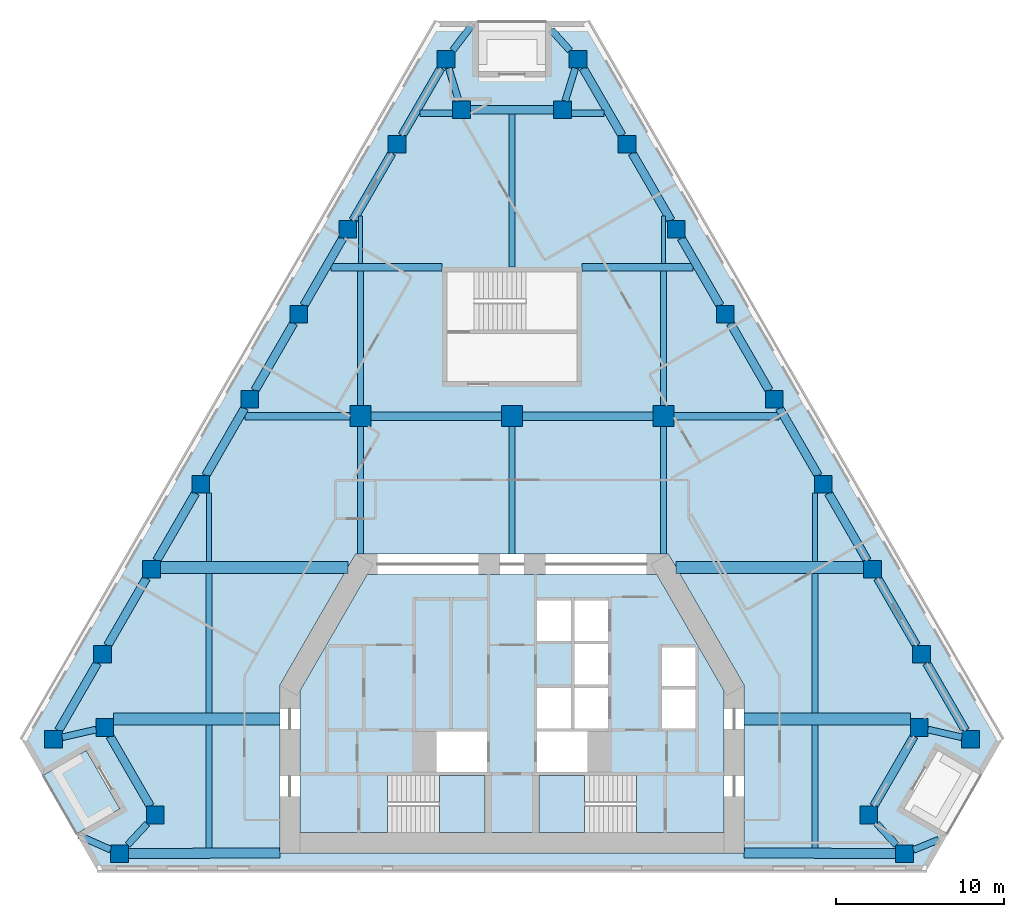
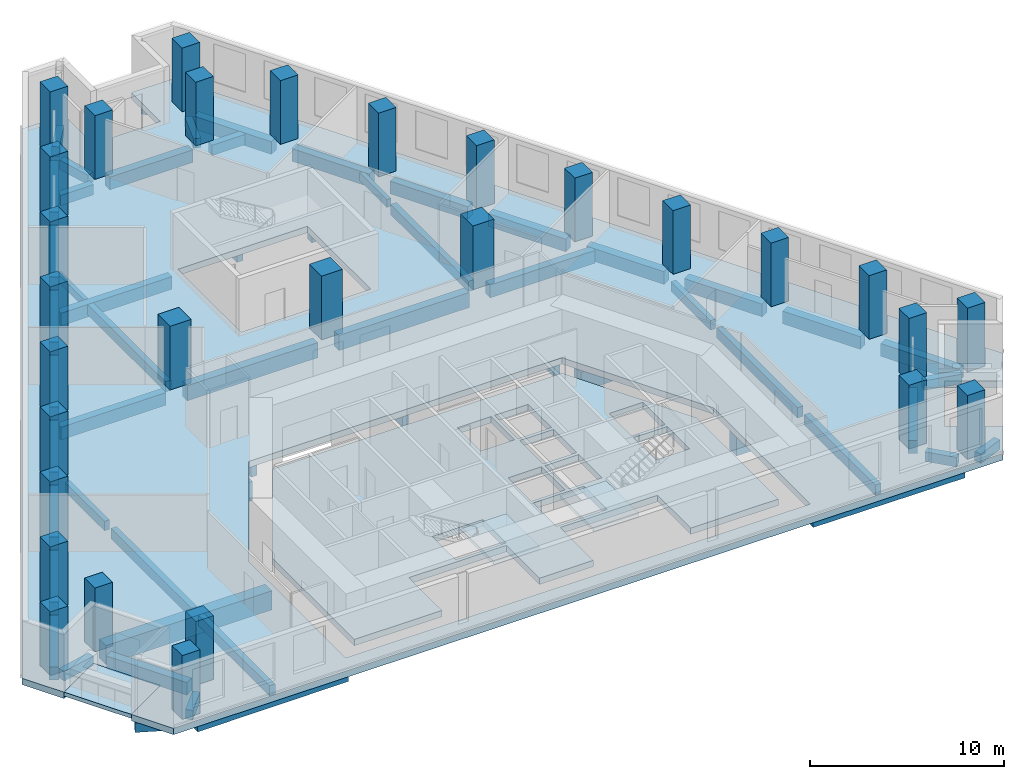
# One storey, part 1 of 9: 57 beams, 29 columns, 5 slabs, 2 elements without a shape of their own.
"""IFC4 building model written with IfcOpenShell, lengths in metres."""

from ifc_helpers import new_model, si_unit, direction, frame, origin, origin_2d, place, context, subcontext, project, spatial, polyline, rectangle, outline, extrude, material, layer, layer_set, material_profile, profile_set, type_object, element, aggregate, save


model = new_model("IFC4")

# Units and contexts
model_context = context("Model", 3, precision=1e-05, world=origin(), true_north=direction((0.0, 1.0)))
body_context = subcontext(model_context, "Body", "Model", "MODEL_VIEW")
ifc_project = project(units=[si_unit("LENGTHUNIT", "METRE"), si_unit("AREAUNIT", "SQUARE_METRE"), si_unit("VOLUMEUNIT", "CUBIC_METRE"), si_unit("PLANEANGLEUNIT", "RADIAN"), si_unit("MASSUNIT", "GRAM", prefix="KILO")], contexts=[model_context])

# Site, building, storey
site_placement = place(None, origin())
site = spatial("IfcSite", under=ifc_project, at=site_placement, CompositionType="ELEMENT")
building_placement = place(site_placement, origin())
building = spatial("IfcBuilding", under=site, at=building_placement, Name="Fogline Exchange Tower", CompositionType="ELEMENT")
storey_placement = place(building_placement, frame((0.0, 0.0, 150.89990234375)))
storey = spatial("IfcBuildingStorey", under=building, at=storey_placement, Name="L33", CompositionType="ELEMENT", Elevation=150.89990234375)

# Columns
ifc_material_1 = material(Name="Concrete C70", Category="concrete")
ifc_material_profile_1 = material_profile(ifc_material_1, rectangle(XDim=1.25, YDim=1.25, at=origin_2d()), Name="RC 1250x1250")
ifc_profile_set_1 = profile_set([ifc_material_profile_1], Name="Concrete C70")
column_type_1 = type_object("IfcColumnType", Name="C03", PredefinedType="COLUMN", material=ifc_profile_set_1)
for number, where, z_axis, x_axis, name in (
    (1, (-9.0, 27.0, 0.0), (0.0, 0.0, 1.0), (1.0, 0.0, 0.0), "IC--9-27"),
    (2, (0.0, 27.0, 0.0), (0.0, 0.0, 1.0), (1.0, 0.0, 0.0), "IC-0-27"),
    (3, (9.0, 27.0, 0.0), (0.0, 0.0, 1.0), (1.0, 0.0, 0.0), "IC-9-27"),
):
    element("IfcColumn", number, at=place(storey_placement, frame(where, z_axis=z_axis, x_axis=x_axis)), inside=storey, type_object=column_type_1, Name=name, PredefinedType="COLUMN", context=body_context, shape_type="SweptSolid", body=[
        extrude(rectangle(XDim=1.25, YDim=1.25, at=origin_2d()), origin(), (0.0, 0.0, 1.0), 4.0),
    ])
ifc_material_profile_2 = material_profile(ifc_material_1, rectangle(XDim=1.050048828125, YDim=1.050048828125, at=origin_2d()), Name="RC 1050x1050")
ifc_profile_set_2 = profile_set([ifc_material_profile_2], Name="Concrete C70")
column_type_2 = type_object("IfcColumnType", Name="C04", PredefinedType="COLUMN", material=ifc_profile_set_2)
for number, where, z_axis, x_axis, name in (
    (4, (-27.2490234375, 7.794189453125, 0.0), (0.0, 0.0, 1.0), (1.0, 0.0, 0.0), "SW-a"),
    (5, (-24.189697265625, 8.4951171875, 0.0), (0.0, 0.0, 1.0), (1.0, 0.0, 0.0), "SW-p4"),
    (6, (-21.189697265625, 3.299072265625, 0.0), (0.0, 0.0, 1.0), (1.0, 0.0, 0.0), "SW-p3"),
    (7, (-23.326416015625, 1.0, 0.0), (0.0, 0.0, 1.0), (1.0, 0.0, 0.0), "SW-b"),
    (8, (23.326416015625, 1.0, 0.0), (0.0, 0.0, 1.0), (1.0, 0.0, 0.0), "SE-a"),
    (9, (21.189697265625, 3.299072265625, 0.0), (0.0, 0.0, 1.0), (1.0, 0.0, 0.0), "SE-p4"),
    (10, (24.189697265625, 8.4951171875, 0.0), (0.0, 0.0, 1.0), (1.0, 0.0, 0.0), "SE-p3"),
    (11, (27.2490234375, 7.794189453125, 0.0), (0.0, 0.0, 1.0), (1.0, 0.0, 0.0), "SE-b"),
    (12, (24.333251953125, 12.844482421875, 0.0), (0.0, 0.0, 1.0), (1.0, 0.0, 0.0), "E1"),
    (13, (21.41748046875, 17.894775390625, 0.0), (0.0, 0.0, 1.0), (1.0, 0.0, 0.0), "E2"),
    (14, (18.501708984375, 22.945068359375, 0.0), (0.0, 0.0, 1.0), (1.0, 0.0, 0.0), "E3"),
    (15, (15.585693359375, 27.995361328125, 0.0), (0.0, 0.0, 1.0), (1.0, 0.0, 0.0), "E4"),
    (16, (12.669921875, 33.045654296875, 0.0), (0.0, 0.0, 1.0), (1.0, 0.0, 0.0), "E5"),
    (17, (9.754150390625, 38.095947265625, 0.0), (0.0, 0.0, 1.0), (1.0, 0.0, 0.0), "E6"),
    (18, (6.83837890625, 43.146240234375, 0.0), (0.0, 0.0, 1.0), (1.0, 0.0, 0.0), "E7"),
    (19, (3.922607421875, 48.19677734375, 0.0), (0.0, 0.0, 1.0), (1.0, 0.0, 0.0), "N-a"),
    (20, (3.0, 45.19677734375, 0.0), (0.0, 0.0, 1.0), (1.0, 0.0, 0.0), "N-p4"),
    (21, (-3.0, 45.19677734375, 0.0), (0.0, 0.0, 1.0), (1.0, 0.0, 0.0), "N-p3"),
    (22, (-3.922607421875, 48.19677734375, 0.0), (0.0, 0.0, 1.0), (1.0, 0.0, 0.0), "N-b"),
    (23, (-6.83837890625, 43.146240234375, 0.0), (0.0, 0.0, 1.0), (1.0, 0.0, 0.0), "W1"),
    (24, (-9.754150390625, 38.095947265625, 0.0), (0.0, 0.0, 1.0), (1.0, 0.0, 0.0), "W2"),
    (25, (-12.669921875, 33.045654296875, 0.0), (0.0, 0.0, 1.0), (1.0, 0.0, 0.0), "W3"),
    (26, (-15.585693359375, 27.995361328125, 0.0), (0.0, 0.0, 1.0), (1.0, 0.0, 0.0), "W4"),
    (27, (-18.501708984375, 22.945068359375, 0.0), (0.0, 0.0, 1.0), (1.0, 0.0, 0.0), "W5"),
    (28, (-21.41748046875, 17.894775390625, 0.0), (0.0, 0.0, 1.0), (1.0, 0.0, 0.0), "W6"),
    (29, (-24.333251953125, 12.844482421875, 0.0), (0.0, 0.0, 1.0), (1.0, 0.0, 0.0), "W7"),
):
    element("IfcColumn", number, at=place(storey_placement, frame(where, z_axis=z_axis, x_axis=x_axis)), inside=storey, type_object=column_type_2, Name=name, PredefinedType="COLUMN", context=body_context, shape_type="SweptSolid", body=[
        extrude(rectangle(XDim=1.050048828125, YDim=1.050048828125, at=origin_2d()), origin(), (0.0, 0.0, 1.0), 4.0),
    ])

# Beams
ifc_material_2 = material(Name="Concrete C40", Category="concrete")
ifc_material_profile_3 = material_profile(ifc_material_2, rectangle(XDim=0.300048828125, YDim=0.60009765625, at=origin_2d()), Name="RC 300x600")
ifc_profile_set_3 = profile_set([ifc_material_profile_3], Name="Concrete C40")
beam_type_1 = type_object("IfcBeamType", Name="B06", PredefinedType="BEAM", material=ifc_profile_set_3)
for number, where, z_axis, x_axis, name in (
    (30, (-18.0, 18.35009765625, -0.699951171875), (0.0, 1.0, 0.0), (-1.0, 0.0, 0.0), "SB003"),
    (31, (18.0, 18.35009765625, -0.699951171875), (0.0, 1.0, 0.0), (-1.0, 0.0, 0.0), "SB014"),
):
    element("IfcBeam", number, at=place(storey_placement, frame(where, z_axis=z_axis, x_axis=x_axis)), inside=storey, type_object=beam_type_1, Name=name, PredefinedType="BEAM", context=body_context, shape_type="SweptSolid", body=[
        extrude(rectangle(XDim=0.300048828125, YDim=0.60009765625, at=origin_2d()), origin(), (0.0, 0.0, 1.0), 4.070068359375),
    ])
ifc_material_profile_4 = material_profile(ifc_material_2, rectangle(XDim=0.25, YDim=0.5, at=origin_2d()), Name="RC 250x500")
ifc_profile_set_4 = profile_set([ifc_material_profile_4], Name="Concrete C40")
beam_type_2 = type_object("IfcBeamType", Name="B08", PredefinedType="BEAM", material=ifc_profile_set_4)
for number, where, z_axis, x_axis, name in (
    (32, (-9.0, 36.08203125, -0.64990234375), (0.0, 1.0, 0.0), (-1.0, 0.0, 0.0), "SB006"),
    (33, (9.0, 36.08203125, -0.64990234375), (0.0, 1.0, 0.0), (-1.0, 0.0, 0.0), "SB011"),
):
    element("IfcBeam", number, at=place(storey_placement, frame(where, z_axis=z_axis, x_axis=x_axis)), inside=storey, type_object=beam_type_2, Name=name, PredefinedType="BEAM", context=body_context, shape_type="SweptSolid", body=[
        extrude(rectangle(XDim=0.25, YDim=0.5, at=origin_2d()), origin(), (0.0, 0.0, 1.0), 2.8203125),
    ])
ifc_material_profile_5 = material_profile(ifc_material_2, rectangle(XDim=0.60009765625, YDim=0.89990234375, at=origin_2d()), Name="RC 600x900")
ifc_profile_set_5 = profile_set([ifc_material_profile_5], Name="Concrete C40")
beam_type_3 = type_object("IfcBeamType", Name="B09", PredefinedType="BEAM", material=ifc_profile_set_5)
for number, where, z_axis, x_axis, name in (
    (34, (-22.801513671875, 1.0, -0.849853515625), (0.999984543136, 0.005559990001, 0.0), (-0.005559990001, 0.999984543136, 0.0), "RB004"),
    (35, (13.800048828125, 1.050048828125, -0.849853515625), (0.999984543136, -0.005559990001, 0.0), (0.005559990001, 0.999984543136, 0.0), "RB005"),
):
    element("IfcBeam", number, at=place(storey_placement, frame(where, z_axis=z_axis, x_axis=x_axis)), inside=storey, type_object=beam_type_3, Name=name, PredefinedType="BEAM", context=body_context, shape_type="SweptSolid", body=[
        extrude(rectangle(XDim=0.60009765625, YDim=0.89990234375, at=origin_2d()), origin(), (0.0, 0.0, 1.0), 9.001708984375),
    ])
ifc_material_profile_6 = material_profile(ifc_material_2, rectangle(XDim=0.5, YDim=0.800048828125, at=origin_2d()), Name="RC 500x800")
ifc_profile_set_6 = profile_set([ifc_material_profile_6], Name="Concrete C40")
beam_type_4 = type_object("IfcBeamType", Name="B10", PredefinedType="BEAM", material=ifc_profile_set_6)
for number, where, z_axis, x_axis, name in (
    (36, (-23.886474609375, 7.97021484375, -0.7998046875), (0.499994660107, -0.866028486751, 0.0), (0.866028486751, 0.499994660107, 0.0), "RB002"),
    (37, (21.49267578125, 3.823974609375, -0.7998046875), (0.499994660107, 0.866028486751, 0.0), (-0.866028486751, 0.499994660107, 0.0), "RB007"),
):
    element("IfcBeam", number, at=place(storey_placement, frame(where, z_axis=z_axis, x_axis=x_axis)), inside=storey, type_object=beam_type_4, Name=name, PredefinedType="BEAM", context=body_context, shape_type="SweptSolid", body=[
        extrude(rectangle(XDim=0.5, YDim=0.800048828125, at=origin_2d()), origin(), (0.0, 0.0, 1.0), 4.78759765625),
    ])
for number, where, z_axis, x_axis, name in (
    (38, (26.94580078125, 8.319091796875, -0.7998046875), (-0.499981705991, 0.866035965578, 0.0), (-0.866035965578, -0.499981705991, 0.0), "RB009"),
    (39, (24.030029296875, 13.369384765625, -0.7998046875), (-0.499981705991, 0.866035965578, 0.0), (-0.866035965578, -0.499981705991, 0.0), "RB010"),
):
    element("IfcBeam", number, at=place(storey_placement, frame(where, z_axis=z_axis, x_axis=x_axis)), inside=storey, type_object=beam_type_4, Name=name, PredefinedType="BEAM", context=body_context, shape_type="SweptSolid", body=[
        extrude(rectangle(XDim=0.5, YDim=0.800048828125, at=origin_2d()), origin(), (0.0, 0.0, 1.0), 4.619384765625),
    ])
for number, where, z_axis, x_axis, name in (
    (40, (21.1142578125, 18.419921875, -0.7998046875), (-0.500004591975, 0.86602275259, 0.0), (-0.86602275259, -0.500004591975, 0.0), "RB011"),
    (41, (18.198486328125, 23.47021484375, -0.7998046875), (-0.500004591975, 0.86602275259, 0.0), (-0.86602275259, -0.500004591975, 0.0), "RB012"),
    (42, (15.28271484375, 28.5205078125, -0.7998046875), (-0.500004591975, 0.86602275259, 0.0), (-0.86602275259, -0.500004591975, 0.0), "RB013"),
    (43, (12.366943359375, 33.57080078125, -0.7998046875), (-0.500004591975, 0.86602275259, 0.0), (-0.86602275259, -0.500004591975, 0.0), "RB014"),
    (44, (9.451171875, 38.62109375, -0.7998046875), (-0.500004591975, 0.86602275259, 0.0), (-0.86602275259, -0.500004591975, 0.0), "RB015"),
    (45, (6.535400390625, 43.67138671875, -0.7998046875), (-0.500004591975, 0.86602275259, 0.0), (-0.86602275259, -0.500004591975, 0.0), "RB016"),
):
    element("IfcBeam", number, at=place(storey_placement, frame(where, z_axis=z_axis, x_axis=x_axis)), inside=storey, type_object=beam_type_4, Name=name, PredefinedType="BEAM", context=body_context, shape_type="SweptSolid", body=[
        extrude(rectangle(XDim=0.5, YDim=0.800048828125, at=origin_2d()), origin(), (0.0, 0.0, 1.0), 4.619140625),
    ])
beam_1_placement = place(storey_placement, frame((2.47509765625, 45.19677734375, -0.7998046875), z_axis=(-1.0, 0.0, 0.0), x_axis=(0.0, -1.0, 0.0)))
element("IfcBeam", 46, at=beam_1_placement, inside=storey, type_object=beam_type_4, Name="RB018", PredefinedType="BEAM", context=body_context, shape_type="SweptSolid", body=[
    extrude(rectangle(XDim=0.5, YDim=0.800048828125, at=origin_2d()), origin(), (0.0, 0.0, 1.0), 4.9501953125),
])
for number, where, z_axis, x_axis, name in (
    (47, (-4.225830078125, 47.671630859375, -0.7998046875), (-0.500004591975, -0.86602275259, 0.0), (0.86602275259, -0.500004591975, 0.0), "RB020"),
    (48, (-7.1416015625, 42.621337890625, -0.7998046875), (-0.500004591975, -0.86602275259, 0.0), (0.86602275259, -0.500004591975, 0.0), "RB021"),
    (49, (-10.057373046875, 37.571044921875, -0.7998046875), (-0.500004591975, -0.86602275259, 0.0), (0.86602275259, -0.500004591975, 0.0), "RB022"),
    (50, (-12.97314453125, 32.520751953125, -0.7998046875), (-0.500004591975, -0.86602275259, 0.0), (0.86602275259, -0.500004591975, 0.0), "RB023"),
    (51, (-15.888916015625, 27.470458984375, -0.7998046875), (-0.500004591975, -0.86602275259, 0.0), (0.86602275259, -0.500004591975, 0.0), "RB024"),
    (52, (-18.8046875, 22.420166015625, -0.7998046875), (-0.500004591975, -0.86602275259, 0.0), (0.86602275259, -0.500004591975, 0.0), "RB025"),
):
    element("IfcBeam", number, at=place(storey_placement, frame(where, z_axis=z_axis, x_axis=x_axis)), inside=storey, type_object=beam_type_4, Name=name, PredefinedType="BEAM", context=body_context, shape_type="SweptSolid", body=[
        extrude(rectangle(XDim=0.5, YDim=0.800048828125, at=origin_2d()), origin(), (0.0, 0.0, 1.0), 4.619140625),
    ])
for number, where, z_axis, x_axis, name in (
    (53, (-21.720458984375, 17.369873046875, -0.7998046875), (-0.499981705991, -0.866035965578, 0.0), (0.866035965578, -0.499981705991, 0.0), "RB026"),
    (54, (-24.63623046875, 12.319580078125, -0.7998046875), (-0.499981705991, -0.866035965578, 0.0), (0.866035965578, -0.499981705991, 0.0), "RB027"),
):
    element("IfcBeam", number, at=place(storey_placement, frame(where, z_axis=z_axis, x_axis=x_axis)), inside=storey, type_object=beam_type_4, Name=name, PredefinedType="BEAM", context=body_context, shape_type="SweptSolid", body=[
        extrude(rectangle(XDim=0.5, YDim=0.800048828125, at=origin_2d()), origin(), (0.0, 0.0, 1.0), 4.619384765625),
    ])
ifc_material_profile_7 = material_profile(ifc_material_2, rectangle(XDim=0.39990234375, YDim=0.60009765625, at=origin_2d()), Name="RC 400x600")
ifc_profile_set_7 = profile_set([ifc_material_profile_7], Name="Concrete C40")
beam_type_5 = type_object("IfcBeamType", Name="B11", PredefinedType="BEAM", material=ifc_profile_set_7)
beam_2_placement = place(storey_placement, frame((-26.72412109375, 7.91455078125, -0.699951171875), z_axis=(0.974739301343, 0.223345683676, 0.0), x_axis=(-0.223345683676, 0.974739301343, 0.0)))
element("IfcBeam", 55, at=beam_2_placement, inside=storey, type_object=beam_type_5, Name="RB001", PredefinedType="BEAM", context=body_context, shape_type="SweptSolid", body=[
    extrude(rectangle(XDim=0.39990234375, YDim=0.60009765625, at=origin_2d()), origin(), (0.0, 0.0, 1.0), 2.0615234375),
])
for number, where, z_axis, x_axis, name in (
    (56, (-21.677490234375, 2.77392578125, -0.699951171875), (-0.680791505026, -0.732477253357, 0.0), (0.732477253357, -0.680791505026, 0.0), "RB003"),
    (57, (22.83837890625, 1.52490234375, -0.699951171875), (-0.680791505026, 0.732477253357, 0.0), (-0.732477253357, -0.680791505026, 0.0), "RB006"),
):
    element("IfcBeam", number, at=place(storey_placement, frame(where, z_axis=z_axis, x_axis=x_axis)), inside=storey, type_object=beam_type_5, Name=name, PredefinedType="BEAM", context=body_context, shape_type="SweptSolid", body=[
        extrude(rectangle(XDim=0.39990234375, YDim=0.60009765625, at=origin_2d()), origin(), (0.0, 0.0, 1.0), 1.705322265625),
    ])
beam_3_placement = place(storey_placement, frame((24.714599609375, 8.375, -0.699951171875), z_axis=(0.974739301343, -0.223345683676, 0.0), x_axis=(0.223345683676, 0.974739301343, 0.0)))
element("IfcBeam", 58, at=beam_3_placement, inside=storey, type_object=beam_type_5, Name="RB008", PredefinedType="BEAM", context=body_context, shape_type="SweptSolid", body=[
    extrude(rectangle(XDim=0.39990234375, YDim=0.60009765625, at=origin_2d()), origin(), (0.0, 0.0, 1.0), 2.0615234375),
])
for number, where, z_axis, x_axis, name in (
    (59, (3.76123046875, 47.671630859375, -0.699951171875), (-0.293917654764, -0.955830744545, 0.0), (0.955830744545, -0.293917654764, 0.0), "RB017"),
    (60, (-3.16162109375, 45.7216796875, -0.699951171875), (-0.293917654764, 0.955830744545, 0.0), (-0.955830744545, -0.293917654764, 0.0), "RB019"),
):
    element("IfcBeam", number, at=place(storey_placement, frame(where, z_axis=z_axis, x_axis=x_axis)), inside=storey, type_object=beam_type_5, Name=name, PredefinedType="BEAM", context=body_context, shape_type="SweptSolid", body=[
        extrude(rectangle(XDim=0.39990234375, YDim=0.60009765625, at=origin_2d()), origin(), (0.0, 0.0, 1.0), 2.0400390625),
    ])
beam_4_placement = place(storey_placement, frame((-3.52587890625, 48.7216796875, -0.699951171875), z_axis=(0.602796218761, 0.797895180238, 0.0), x_axis=(-0.797895180238, 0.602796218761, 0.0)))
element("IfcBeam", 61, at=beam_4_placement, inside=storey, type_object=beam_type_5, Name="SP028", PredefinedType="BEAM", context=body_context, shape_type="SweptSolid", body=[
    extrude(rectangle(XDim=0.39990234375, YDim=0.60009765625, at=origin_2d()), origin(), (0.0, 0.0, 1.0), 1.967041015625),
])
beam_5_placement = place(storey_placement, frame((3.446044921875, 48.7216796875, -0.699951171875), z_axis=(-0.672128040565, 0.740434937781, 0.0), x_axis=(-0.740434937781, -0.672128040565, 0.0)))
element("IfcBeam", 62, at=beam_5_placement, inside=storey, type_object=beam_type_5, Name="SP029", PredefinedType="BEAM", context=body_context, shape_type="SweptSolid", body=[
    extrude(rectangle(XDim=0.39990234375, YDim=0.60009765625, at=origin_2d()), origin(), (0.0, 0.0, 1.0), 1.6513671875),
])
beam_6_placement = place(storey_placement, frame((-23.851318359375, 1.234619140625, -0.699951171875), z_axis=(-0.91310964958, 0.407714076092, 0.0), x_axis=(-0.407714076092, -0.91310964958, 0.0)))
element("IfcBeam", 63, at=beam_6_placement, inside=storey, type_object=beam_type_5, Name="SP030", PredefinedType="BEAM", context=body_context, shape_type="SweptSolid", body=[
    extrude(rectangle(XDim=0.39990234375, YDim=0.60009765625, at=origin_2d()), origin(), (0.0, 0.0, 1.0), 2.069580078125),
])
beam_7_placement = place(storey_placement, frame((23.851318359375, 1.216064453125, -0.699951171875), z_axis=(0.924786898771, 0.380485468661, 0.0), x_axis=(-0.380485468661, 0.924786898771, 0.0)))
element("IfcBeam", 64, at=beam_7_placement, inside=storey, type_object=beam_type_5, Name="SP031", PredefinedType="BEAM", context=body_context, shape_type="SweptSolid", body=[
    extrude(rectangle(XDim=0.39990234375, YDim=0.60009765625, at=origin_2d()), origin(), (0.0, 0.0, 1.0), 1.6259765625),
])
ifc_material_profile_8 = material_profile(ifc_material_2, rectangle(XDim=0.39990234375, YDim=0.64990234375, at=origin_2d()), Name="RC 400x650")
ifc_profile_set_8 = profile_set([ifc_material_profile_8], Name="Concrete C40")
beam_type_6 = type_object("IfcBeamType", Name="B13", PredefinedType="BEAM", material=ifc_profile_set_8)
for number, where, z_axis, x_axis, name in (
    (65, (-5.4794921875, 45.0, -0.724853515625), (1.0, 0.0, 0.0), (0.0, 1.0, 0.0), "GB011"),
    (66, (3.52490234375, 45.0, -0.724853515625), (1.0, 0.0, 0.0), (0.0, 1.0, 0.0), "GB012"),
):
    element("IfcBeam", number, at=place(storey_placement, frame(where, z_axis=z_axis, x_axis=x_axis)), inside=storey, type_object=beam_type_6, Name=name, PredefinedType="BEAM", context=body_context, shape_type="SweptSolid", body=[
        extrude(rectangle(XDim=0.39990234375, YDim=0.64990234375, at=origin_2d()), origin(), (0.0, 0.0, 1.0), 1.95458984375),
    ])
ifc_material_profile_9 = material_profile(ifc_material_2, rectangle(XDim=0.5, YDim=0.949951171875, at=origin_2d()), Name="RC 500x950")
ifc_profile_set_9 = profile_set([ifc_material_profile_9], Name="Concrete C40")
beam_type_7 = type_object("IfcBeamType", Name="B14", PredefinedType="BEAM", material=ifc_profile_set_9)
for number, where, z_axis, x_axis, name in (
    (67, (-8.375, 27.0, -0.875), (1.0, 0.0, 0.0), (0.0, 1.0, 0.0), "GB006"),
    (68, (0.625, 27.0, -0.875), (1.0, 0.0, 0.0), (0.0, 1.0, 0.0), "GB007"),
):
    element("IfcBeam", number, at=place(storey_placement, frame(where, z_axis=z_axis, x_axis=x_axis)), inside=storey, type_object=beam_type_7, Name=name, PredefinedType="BEAM", context=body_context, shape_type="SweptSolid", body=[
        extrude(rectangle(XDim=0.5, YDim=0.949951171875, at=origin_2d()), origin(), (0.0, 0.0, 1.0), 7.75),
    ])
ifc_material_profile_10 = material_profile(ifc_material_2, rectangle(XDim=0.35009765625, YDim=0.64990234375, at=origin_2d()), Name="RC 350x650")
ifc_profile_set_10 = profile_set([ifc_material_profile_10], Name="Concrete C40")
beam_type_8 = type_object("IfcBeamType", Name="B16", PredefinedType="BEAM", material=ifc_profile_set_10)
beam_8_placement = place(storey_placement, frame((-18.0, 1.327880859375, -0.724853515625), z_axis=(0.0, 1.0, 0.0), x_axis=(-1.0, 0.0, 0.0)))
element("IfcBeam", 69, at=beam_8_placement, inside=storey, type_object=beam_type_8, Name="SB001", PredefinedType="BEAM", context=body_context, shape_type="SweptSolid", body=[
    extrude(rectangle(XDim=0.35009765625, YDim=0.64990234375, at=origin_2d()), origin(), (0.0, 0.0, 1.0), 7.322021484375),
])
beam_9_placement = place(storey_placement, frame((-18.0, 9.35009765625, -0.724853515625), z_axis=(0.0, 1.0, 0.0), x_axis=(-1.0, 0.0, 0.0)))
element("IfcBeam", 70, at=beam_9_placement, inside=storey, type_object=beam_type_8, Name="SB002", PredefinedType="BEAM", context=body_context, shape_type="SweptSolid", body=[
    extrude(rectangle(XDim=0.35009765625, YDim=0.64990234375, at=origin_2d()), origin(), (0.0, 0.0, 1.0), 8.2998046875),
])
beam_10_placement = place(storey_placement, frame((-9.0, 18.800048828125, -0.724853515625), z_axis=(0.0, 1.0, 0.0), x_axis=(-1.0, 0.0, 0.0)))
element("IfcBeam", 71, at=beam_10_placement, inside=storey, type_object=beam_type_8, Name="SB004", PredefinedType="BEAM", context=body_context, shape_type="SweptSolid", body=[
    extrude(rectangle(XDim=0.35009765625, YDim=0.64990234375, at=origin_2d()), origin(), (0.0, 0.0, 1.0), 7.574951171875),
])
beam_11_placement = place(storey_placement, frame((-9.0, 27.625, -0.724853515625), z_axis=(0.0, 1.0, 0.0), x_axis=(-1.0, 0.0, 0.0)))
element("IfcBeam", 72, at=beam_11_placement, inside=storey, type_object=beam_type_8, Name="SB005", PredefinedType="BEAM", context=body_context, shape_type="SweptSolid", body=[
    extrude(rectangle(XDim=0.35009765625, YDim=0.64990234375, at=origin_2d()), origin(), (0.0, 0.0, 1.0), 8.007080078125),
])
beam_12_placement = place(storey_placement, frame((0.0, 18.800048828125, -0.724853515625), z_axis=(0.0, 1.0, 0.0), x_axis=(-1.0, 0.0, 0.0)))
element("IfcBeam", 73, at=beam_12_placement, inside=storey, type_object=beam_type_8, Name="SB007", PredefinedType="BEAM", context=body_context, shape_type="SweptSolid", body=[
    extrude(rectangle(XDim=0.35009765625, YDim=0.64990234375, at=origin_2d()), origin(), (0.0, 0.0, 1.0), 7.574951171875),
])
beam_13_placement = place(storey_placement, frame((0.0, 35.85693359375, -0.724853515625), z_axis=(0.0, 1.0, 0.0), x_axis=(-1.0, 0.0, 0.0)))
element("IfcBeam", 74, at=beam_13_placement, inside=storey, type_object=beam_type_8, Name="SB008", PredefinedType="BEAM", context=body_context, shape_type="SweptSolid", body=[
    extrude(rectangle(XDim=0.35009765625, YDim=0.64990234375, at=origin_2d()), origin(), (0.0, 0.0, 1.0), 9.08984375),
])
beam_14_placement = place(storey_placement, frame((9.0, 18.800048828125, -0.724853515625), z_axis=(0.0, 1.0, 0.0), x_axis=(-1.0, 0.0, 0.0)))
element("IfcBeam", 75, at=beam_14_placement, inside=storey, type_object=beam_type_8, Name="SB009", PredefinedType="BEAM", context=body_context, shape_type="SweptSolid", body=[
    extrude(rectangle(XDim=0.35009765625, YDim=0.64990234375, at=origin_2d()), origin(), (0.0, 0.0, 1.0), 7.574951171875),
])
beam_15_placement = place(storey_placement, frame((9.0, 27.625, -0.724853515625), z_axis=(0.0, 1.0, 0.0), x_axis=(-1.0, 0.0, 0.0)))
element("IfcBeam", 76, at=beam_15_placement, inside=storey, type_object=beam_type_8, Name="SB010", PredefinedType="BEAM", context=body_context, shape_type="SweptSolid", body=[
    extrude(rectangle(XDim=0.35009765625, YDim=0.64990234375, at=origin_2d()), origin(), (0.0, 0.0, 1.0), 8.007080078125),
])
beam_16_placement = place(storey_placement, frame((18.0, 1.327880859375, -0.724853515625), z_axis=(0.0, 1.0, 0.0), x_axis=(-1.0, 0.0, 0.0)))
element("IfcBeam", 77, at=beam_16_placement, inside=storey, type_object=beam_type_8, Name="SB012", PredefinedType="BEAM", context=body_context, shape_type="SweptSolid", body=[
    extrude(rectangle(XDim=0.35009765625, YDim=0.64990234375, at=origin_2d()), origin(), (0.0, 0.0, 1.0), 7.322021484375),
])
beam_17_placement = place(storey_placement, frame((18.0, 9.35009765625, -0.724853515625), z_axis=(0.0, 1.0, 0.0), x_axis=(-1.0, 0.0, 0.0)))
element("IfcBeam", 78, at=beam_17_placement, inside=storey, type_object=beam_type_8, Name="SB013", PredefinedType="BEAM", context=body_context, shape_type="SweptSolid", body=[
    extrude(rectangle(XDim=0.35009765625, YDim=0.64990234375, at=origin_2d()), origin(), (0.0, 0.0, 1.0), 8.2998046875),
])
ifc_material_profile_11 = material_profile(ifc_material_2, rectangle(XDim=0.699951171875, YDim=1.199951171875, at=origin_2d()), Name="RC 700x1200")
ifc_profile_set_11 = profile_set([ifc_material_profile_11], Name="Concrete C40")
beam_type_9 = type_object("IfcBeamType", Name="B17", PredefinedType="BEAM", material=ifc_profile_set_11)
for number, where, z_axis, x_axis, name in (
    (79, (-23.66455078125, 9.0, -1.0), (1.0, 0.0, 0.0), (0.0, 1.0, 0.0), "GB001"),
    (80, (13.800048828125, 9.0, -1.0), (1.0, 0.0, 0.0), (0.0, 1.0, 0.0), "GB002"),
):
    element("IfcBeam", number, at=place(storey_placement, frame(where, z_axis=z_axis, x_axis=x_axis)), inside=storey, type_object=beam_type_9, Name=name, PredefinedType="BEAM", context=body_context, shape_type="SweptSolid", body=[
        extrude(rectangle(XDim=0.699951171875, YDim=1.199951171875, at=origin_2d()), origin(), (0.0, 0.0, 1.0), 9.864501953125),
    ])
for number, where, z_axis, x_axis, name in (
    (81, (-20.892333984375, 18.0, -1.0), (1.0, 0.0, 0.0), (0.0, 1.0, 0.0), "GB003"),
    (82, (9.758056640625, 18.0, -1.0), (1.0, 0.0, 0.0), (0.0, 1.0, 0.0), "GB004"),
):
    element("IfcBeam", number, at=place(storey_placement, frame(where, z_axis=z_axis, x_axis=x_axis)), inside=storey, type_object=beam_type_9, Name=name, PredefinedType="BEAM", context=body_context, shape_type="SweptSolid", body=[
        extrude(rectangle(XDim=0.699951171875, YDim=1.199951171875, at=origin_2d()), origin(), (0.0, 0.0, 1.0), 11.13427734375),
    ])
ifc_material_profile_12 = material_profile(ifc_material_2, rectangle(XDim=0.449951171875, YDim=0.800048828125, at=origin_2d()), Name="RC 450x800")
ifc_profile_set_12 = profile_set([ifc_material_profile_12], Name="Concrete C40")
beam_type_10 = type_object("IfcBeamType", Name="B18", PredefinedType="BEAM", material=ifc_profile_set_12)
for number, where, z_axis, x_axis, name in (
    (83, (-15.871826171875, 27.0, -0.7998046875), (1.0, 0.0, 0.0), (0.0, 1.0, 0.0), "GB005"),
    (84, (9.625, 27.0, -0.7998046875), (1.0, 0.0, 0.0), (0.0, 1.0, 0.0), "GB008"),
):
    element("IfcBeam", number, at=place(storey_placement, frame(where, z_axis=z_axis, x_axis=x_axis)), inside=storey, type_object=beam_type_10, Name=name, PredefinedType="BEAM", context=body_context, shape_type="SweptSolid", body=[
        extrude(rectangle(XDim=0.449951171875, YDim=0.800048828125, at=origin_2d()), origin(), (0.0, 0.0, 1.0), 6.246826171875),
    ])
for number, where, z_axis, x_axis, name in (
    (85, (-10.75830078125, 35.85693359375, -0.7998046875), (1.0, 0.0, 0.0), (0.0, 1.0, 0.0), "GB009"),
    (86, (4.14990234375, 35.85693359375, -0.7998046875), (1.0, 0.0, 0.0), (0.0, 1.0, 0.0), "GB010"),
):
    element("IfcBeam", number, at=place(storey_placement, frame(where, z_axis=z_axis, x_axis=x_axis)), inside=storey, type_object=beam_type_10, Name=name, PredefinedType="BEAM", context=body_context, shape_type="SweptSolid", body=[
        extrude(rectangle(XDim=0.449951171875, YDim=0.800048828125, at=origin_2d()), origin(), (0.0, 0.0, 1.0), 6.6083984375),
    ])

# Slabs
ifc_layer_1 = layer(ifc_material_2, 0.25)
ifc_layer_set_1 = layer_set([ifc_layer_1], Name="DK1")
slab_type_1 = type_object("IfcSlabType", Name="DK1", PredefinedType="FLOOR", material=ifc_layer_set_1)
slab_1_placement = place(storey_placement, frame((0.0, 0.0, -0.25)))
element("IfcSlab", 87, at=slab_1_placement, inside=storey, type_object=slab_type_1, Name="Balcony L33 SW", PredefinedType="FLOOR", context=body_context, shape_type="SweptSolid", body=[
    extrude(outline(polyline([(-27.8984375, 5.629150390625), (-25.8984375, 2.1650390625), (-23.30029296875, 3.6650390625), (-25.30029296875, 7.129150390625), (-27.8984375, 5.629150390625)])), origin(), (0.0, 0.0, 1.0), 0.25),
])
ifc_layer_2 = layer(ifc_material_2, 0.39990234375)
ifc_layer_set_2 = layer_set([ifc_layer_2], Name="S03")
slab_type_2 = type_object("IfcSlabType", Name="S03", PredefinedType="FLOOR", material=ifc_layer_set_2)
slab_2_placement = place(storey_placement, frame((0.0, 0.0, -0.39990234375)))
element("IfcSlab", 88, at=slab_2_placement, inside=storey, type_object=slab_type_2, Name="SLAB L33", PredefinedType="FLOOR", context=body_context, shape_type="SweptSolid", body=[
    extrude(outline(polyline([(-2.0, 50.48681640625), (-4.5, 50.48681640625), (-29.1484375, 7.794189453125), (-27.8984375, 5.629150390625), (-25.30029296875, 7.129150390625), (-23.30029296875, 3.6650390625), (-25.8984375, 2.1650390625), (-24.6484375, 0.0), (24.6484375, 0.0), (25.8984375, 2.1650390625), (23.30029296875, 3.6650390625), (25.30029296875, 7.129150390625), (27.8984375, 5.629150390625), (29.1484375, 7.794189453125), (4.5, 50.48681640625), (2.0, 50.48681640625), (2.0, 47.48681640625), (-2.0, 47.48681640625), (-2.0, 50.48681640625)]), holes=[polyline([(13.800048828125, 10.9990234375), (13.800048828125, 1.050048828125), (-13.800048828125, 1.050048828125), (-13.800048828125, 10.9990234375), (-9.296142578125, 18.800048828125), (9.296142578125, 18.800048828125), (13.800048828125, 10.9990234375)]), polyline([(3.85009765625, 35.556884765625), (3.85009765625, 29.056884765625), (-3.85009765625, 29.056884765625), (-3.85009765625, 35.556884765625), (3.85009765625, 35.556884765625)])]), origin(), (0.0, 0.0, 1.0), 0.39990234375),
])
slab_3_placement = place(storey_placement, frame((0.0, 0.0, -0.39990234375)))
element("IfcSlab", 89, at=slab_3_placement, inside=storey, type_object=slab_type_2, Name="Core floor slab", PredefinedType="FLOOR", context=body_context, shape_type="SweptSolid", body=[
    extrude(outline(polyline([(-12.60009765625, 2.25), (-12.60009765625, 10.677490234375), (-8.603271484375, 17.60009765625), (8.603271484375, 17.60009765625), (12.60009765625, 10.677490234375), (12.60009765625, 2.25), (7.389892578125, 2.25), (7.389892578125, 5.64990234375), (1.60009765625, 5.64990234375), (1.60009765625, 2.25), (-1.60009765625, 2.25), (-1.60009765625, 5.64990234375), (-7.389892578125, 5.64990234375), (-7.389892578125, 2.25), (-12.60009765625, 2.25)]), holes=[polyline([(-4.5, 8.25), (-4.5, 5.85009765625), (-1.5, 5.85009765625), (-1.5, 8.25), (-4.5, 8.25)]), polyline([(4.5, 8.25), (1.5, 8.25), (1.5, 5.85009765625), (4.5, 5.85009765625), (4.5, 8.25)]), polyline([(3.5, 10.85009765625), (1.5, 10.85009765625), (1.5, 8.449951171875), (3.5, 8.449951171875), (3.5, 10.85009765625)]), polyline([(1.5, 16.050048828125), (1.5, 13.64990234375), (3.5, 13.64990234375), (3.5, 16.050048828125), (1.5, 16.050048828125)]), polyline([(10.89990234375, 10.75), (8.89990234375, 10.75), (8.89990234375, 8.449951171875), (10.89990234375, 8.449951171875), (10.89990234375, 10.75)]), polyline([(5.699951171875, 10.85009765625), (3.699951171875, 10.85009765625), (3.699951171875, 8.449951171875), (5.699951171875, 8.449951171875), (5.699951171875, 10.85009765625)]), polyline([(8.89990234375, 13.25), (8.89990234375, 10.949951171875), (10.89990234375, 10.949951171875), (10.89990234375, 13.25), (8.89990234375, 13.25)]), polyline([(5.699951171875, 13.449951171875), (3.699951171875, 13.449951171875), (3.699951171875, 11.050048828125), (5.699951171875, 11.050048828125), (5.699951171875, 13.449951171875)]), polyline([(5.699951171875, 16.050048828125), (3.699951171875, 16.050048828125), (3.699951171875, 13.64990234375), (5.699951171875, 13.64990234375), (5.699951171875, 16.050048828125)])]), origin(), (0.0, 0.0, 1.0), 0.39990234375),
])

# Stair, slab
stair_type = type_object("IfcStairType", Name="STR24-1667", PredefinedType="HALF_TURN_STAIR", material=ifc_material_2)
stair_1_placement = place(storey_placement, origin())
stair_1 = element("IfcStair", 90, at=stair_1_placement, inside=storey, type_object=stair_type, Name="Stair ST1", PredefinedType="HALF_TURN_STAIR")
ifc_layer_3 = layer(ifc_material_2, 0.199951171875)
ifc_layer_set_3 = layer_set([ifc_layer_3], Name="SL200")
slab_type_3 = type_object("IfcSlabType", Name="SL200", PredefinedType="LANDING", material=ifc_layer_set_3)
slab_4_placement = place(storey_placement, frame((0.0, 0.0, 1.800048828125)))
slab_4 = element("IfcSlab", 91, at=slab_4_placement, type_object=slab_type_3, Name="ST1 landing 1", PredefinedType="LANDING", context=body_context, shape_type="SweptSolid", body=[
    extrude(outline(polyline([(-4.320068359375, 2.25), (-1.60009765625, 2.25), (-1.60009765625, 5.64990234375), (-4.320068359375, 5.64990234375), (-4.320068359375, 2.25)])), origin(), (0.0, 0.0, 1.0), 0.199951171875),
])
aggregate(stair_1, [slab_4])

stair_2_placement = place(storey_placement, origin())
stair_2 = element("IfcStair", 92, at=stair_2_placement, inside=storey, type_object=stair_type, Name="Stair ST2", PredefinedType="HALF_TURN_STAIR")
slab_5_placement = place(storey_placement, frame((0.0, 0.0, 1.800048828125)))
slab_5 = element("IfcSlab", 93, at=slab_5_placement, type_object=slab_type_3, Name="ST2 landing 1", PredefinedType="LANDING", context=body_context, shape_type="SweptSolid", body=[
    extrude(outline(polyline([(1.60009765625, 2.25), (4.320068359375, 2.25), (4.320068359375, 5.64990234375), (1.60009765625, 5.64990234375), (1.60009765625, 2.25)])), origin(), (0.0, 0.0, 1.0), 0.199951171875),
])
aggregate(stair_2, [slab_5])

save(model, "model.ifc")
